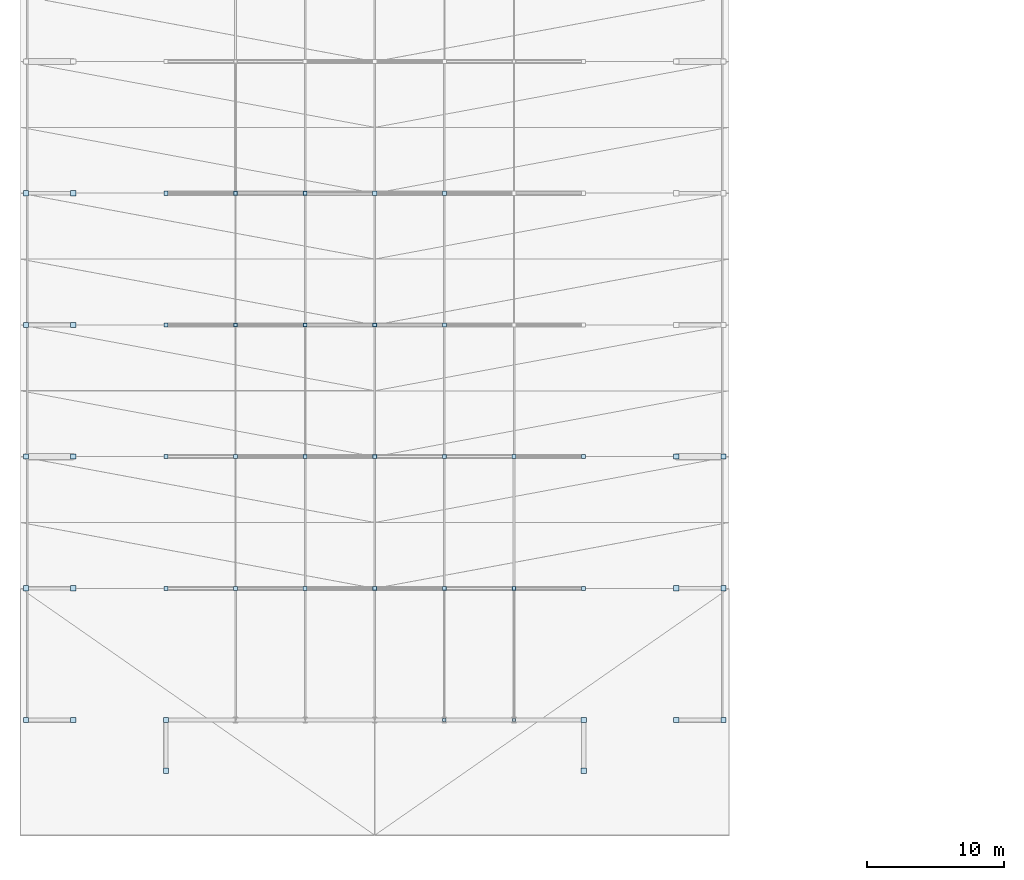
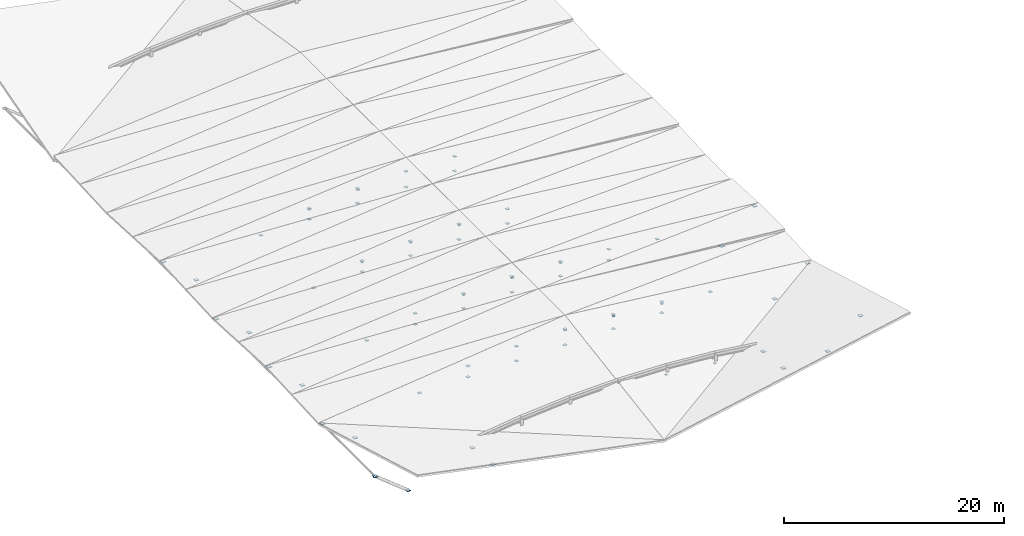
# One storey, part 12 of 16: 76 plates.
"""IFC4 building model written with IfcOpenShell, lengths in metres."""

from ifc_helpers import new_model, si_unit, direction, frame, origin, origin_2d, place, context, subcontext, project, spatial, rectangle, extrude, material, layer, layer_set, type_object, element, save


model = new_model("IFC4")

# Units and contexts
model_context = context("Model", 3, precision=1e-05, world=origin(), true_north=direction((0.0, 1.0)))
body_context = subcontext(model_context, "Body", "Model", "MODEL_VIEW")
ifc_project = project(units=[si_unit("LENGTHUNIT", "METRE"), si_unit("AREAUNIT", "SQUARE_METRE"), si_unit("VOLUMEUNIT", "CUBIC_METRE"), si_unit("PLANEANGLEUNIT", "RADIAN"), si_unit("MASSUNIT", "GRAM", prefix="KILO")], contexts=[model_context])

# Site, building, storey
site_placement = place(None, origin())
site = spatial("IfcSite", under=ifc_project, at=site_placement, CompositionType="ELEMENT")
building_placement = place(site_placement, origin())
building = spatial("IfcBuilding", under=site, at=building_placement, Name="Myrtia Square Station", CompositionType="ELEMENT")
storey_placement = place(building_placement, frame((0.0, 0.0, 22.800048828125)))
storey = spatial("IfcBuildingStorey", under=building, at=storey_placement, Name="RF", CompositionType="ELEMENT", Elevation=22.800048828125)

# Plates
ifc_material = material(Name="Steel S355", Category="steel")
ifc_layer_1 = layer(ifc_material, 0.01611328125, Name="Steel S355")
ifc_layer_set_1 = layer_set([ifc_layer_1], Name="Steel S355")
plate_type_1 = type_object("IfcPlateType", Name="PLT-GUS16", PredefinedType="USERDEFINED", material=ifc_layer_set_1)
for number, where, z_axis, x_axis, name in (
    (1, (99.64990234375, 28.800048828125, -0.7197265625), (0.0, 0.0, 1.0), (0.0, 1.0, 0.0), "Truss node gusset plate PUR-RF-0004-1"),
    (2, (99.64990234375, 38.39990234375, -0.081298828125), (0.0, 0.0, 1.0), (0.0, 1.0, 0.0), "Truss node gusset plate PUR-RF-0004-2"),
    (3, (104.72509765625, 28.800048828125, -1.24951171875), (0.0, 0.0, 1.0), (0.0, 1.0, 0.0), "Truss node gusset plate PUR-RF-0005-1"),
    (4, (104.72509765625, 38.39990234375, -0.4814453125), (0.0, 0.0, 1.0), (0.0, 1.0, 0.0), "Truss node gusset plate PUR-RF-0005-2"),
    (5, (94.574951171875, 38.39990234375, 0.1318359375), (0.0, 0.0, 1.0), (0.0, 1.0, 0.0), "Truss node gusset plate PUR-RF-0011-1"),
    (6, (94.574951171875, 48.0, 0.1318359375), (0.0, 0.0, 1.0), (0.0, 1.0, 0.0), "Truss node gusset plate PUR-RF-0011-2"),
    (7, (99.64990234375, 38.39990234375, -0.00146484375), (0.0, 0.0, 1.0), (0.0, 1.0, 0.0), "Truss node gusset plate PUR-RF-0012-1"),
    (8, (99.64990234375, 48.0, -0.00146484375), (0.0, 0.0, 1.0), (0.0, 1.0, 0.0), "Truss node gusset plate PUR-RF-0012-2"),
    (9, (89.5, 48.0, -0.00146484375), (0.0, 0.0, 1.0), (0.0, 1.0, 0.0), "Truss node gusset plate PUR-RF-0019-1"),
    (10, (89.5, 57.60009765625, -0.00146484375), (0.0, 0.0, 1.0), (0.0, 1.0, 0.0), "Truss node gusset plate PUR-RF-0019-2"),
    (11, (94.574951171875, 57.60009765625, 0.1318359375), (0.0, 0.0, 1.0), (0.0, 1.0, 0.0), "Truss node gusset plate PUR-RF-0020-2"),
    (12, (84.425048828125, 57.60009765625, -0.4013671875), (0.0, 0.0, 1.0), (0.0, 1.0, 0.0), "Truss node gusset plate PUR-RF-0027-1"),
    (13, (84.425048828125, 67.199951171875, -0.4013671875), (0.0, 0.0, 1.0), (0.0, 1.0, 0.0), "Truss node gusset plate PUR-RF-0027-2"),
    (14, (89.5, 67.199951171875, -0.00146484375), (0.0, 0.0, 1.0), (0.0, 1.0, 0.0), "Truss node gusset plate PUR-RF-0028-2"),
):
    element("IfcPlate", number, at=place(storey_placement, frame(where, z_axis=z_axis, x_axis=x_axis)), inside=storey, type_object=plate_type_1, Name=name, ObjectType="GUSSET PLATE", PredefinedType="USERDEFINED", context=body_context, shape_type="SweptSolid", body=[
        extrude(rectangle(XDim=0.239990234375, YDim=0.239990234375, at=origin_2d()), origin(), (0.0, 0.0, 1.0), 0.01611328125),
    ])
ifc_layer_2 = layer(ifc_material, 0.02001953125, Name="Steel S355")
ifc_layer_set_2 = layer_set([ifc_layer_2], Name="Steel S355")
plate_type_2 = type_object("IfcPlateType", Name="PLT-GUS20", PredefinedType="USERDEFINED", material=ifc_layer_set_2)
for number, where, z_axis, x_axis, name in (
    (15, (79.35009765625, 38.39990234375, -1.4599609375), (0.0, 0.0, 1.0), (1.0, 0.0, 0.0), "Truss node gusset plate BAT-02-D1-1"),
    (16, (84.425048828125, 38.39990234375, -0.2431640625), (0.0, 0.0, 1.0), (1.0, 0.0, 0.0), "Truss node gusset plate BAT-02-D1-2"),
    (17, (84.425048828125, 38.39990234375, -1.4599609375), (0.0, 0.0, 1.0), (1.0, 0.0, 0.0), "Truss node gusset plate BAT-02-D2-1"),
    (18, (89.5, 38.39990234375, 0.156982421875), (0.0, 0.0, 1.0), (1.0, 0.0, 0.0), "Truss node gusset plate BAT-02-D2-2"),
    (19, (89.5, 38.39990234375, -1.4599609375), (0.0, 0.0, 1.0), (1.0, 0.0, 0.0), "Truss node gusset plate BAT-02-D3-1"),
    (20, (94.574951171875, 38.39990234375, 0.2900390625), (0.0, 0.0, 1.0), (1.0, 0.0, 0.0), "Truss node gusset plate BAT-02-D3-2"),
    (21, (94.574951171875, 38.39990234375, -1.4599609375), (0.0, 0.0, 1.0), (1.0, 0.0, 0.0), "Truss node gusset plate BAT-02-D4-1"),
    (22, (99.64990234375, 38.39990234375, 0.156982421875), (0.0, 0.0, 1.0), (1.0, 0.0, 0.0), "Truss node gusset plate BAT-02-D4-2"),
    (23, (99.64990234375, 38.39990234375, -1.4599609375), (0.0, 0.0, 1.0), (1.0, 0.0, 0.0), "Truss node gusset plate BAT-02-D5-1"),
    (24, (104.72509765625, 38.39990234375, -0.2431640625), (0.0, 0.0, 1.0), (1.0, 0.0, 0.0), "Truss node gusset plate BAT-02-D5-2"),
    (25, (104.72509765625, 38.39990234375, -1.4599609375), (0.0, 0.0, 1.0), (1.0, 0.0, 0.0), "Truss node gusset plate BAT-02-D6-1"),
    (26, (109.800048828125, 38.39990234375, -0.91015625), (0.0, 0.0, 1.0), (1.0, 0.0, 0.0), "Truss node gusset plate BAT-02-D6-2"),
    (27, (79.35009765625, 48.0, -1.4599609375), (0.0, 0.0, 1.0), (1.0, 0.0, 0.0), "Truss node gusset plate BAT-03-D1-1"),
    (28, (84.425048828125, 48.0, -0.2431640625), (0.0, 0.0, 1.0), (1.0, 0.0, 0.0), "Truss node gusset plate BAT-03-D1-2"),
    (29, (84.425048828125, 48.0, -1.4599609375), (0.0, 0.0, 1.0), (1.0, 0.0, 0.0), "Truss node gusset plate BAT-03-D2-1"),
    (30, (89.5, 48.0, 0.156982421875), (0.0, 0.0, 1.0), (1.0, 0.0, 0.0), "Truss node gusset plate BAT-03-D2-2"),
    (31, (89.5, 48.0, -1.4599609375), (0.0, 0.0, 1.0), (1.0, 0.0, 0.0), "Truss node gusset plate BAT-03-D3-1"),
    (32, (94.574951171875, 48.0, 0.2900390625), (0.0, 0.0, 1.0), (1.0, 0.0, 0.0), "Truss node gusset plate BAT-03-D3-2"),
    (33, (94.574951171875, 48.0, -1.4599609375), (0.0, 0.0, 1.0), (1.0, 0.0, 0.0), "Truss node gusset plate BAT-03-D4-1"),
    (34, (99.64990234375, 48.0, 0.156982421875), (0.0, 0.0, 1.0), (1.0, 0.0, 0.0), "Truss node gusset plate BAT-03-D4-2"),
    (35, (99.64990234375, 48.0, -1.4599609375), (0.0, 0.0, 1.0), (1.0, 0.0, 0.0), "Truss node gusset plate BAT-03-D5-1"),
    (36, (104.72509765625, 48.0, -0.2431640625), (0.0, 0.0, 1.0), (1.0, 0.0, 0.0), "Truss node gusset plate BAT-03-D5-2"),
    (37, (104.72509765625, 48.0, -1.4599609375), (0.0, 0.0, 1.0), (1.0, 0.0, 0.0), "Truss node gusset plate BAT-03-D6-1"),
    (38, (109.800048828125, 48.0, -0.91015625), (0.0, 0.0, 1.0), (1.0, 0.0, 0.0), "Truss node gusset plate BAT-03-D6-2"),
    (39, (79.35009765625, 57.60009765625, -1.4599609375), (0.0, 0.0, 1.0), (1.0, 0.0, 0.0), "Truss node gusset plate BAT-04-D1-1"),
    (40, (84.425048828125, 57.60009765625, -0.2431640625), (0.0, 0.0, 1.0), (1.0, 0.0, 0.0), "Truss node gusset plate BAT-04-D1-2"),
    (41, (84.425048828125, 57.60009765625, -1.4599609375), (0.0, 0.0, 1.0), (1.0, 0.0, 0.0), "Truss node gusset plate BAT-04-D2-1"),
    (42, (89.5, 57.60009765625, 0.156982421875), (0.0, 0.0, 1.0), (1.0, 0.0, 0.0), "Truss node gusset plate BAT-04-D2-2"),
    (43, (89.5, 57.60009765625, -1.4599609375), (0.0, 0.0, 1.0), (1.0, 0.0, 0.0), "Truss node gusset plate BAT-04-D3-1"),
    (44, (94.574951171875, 57.60009765625, 0.2900390625), (0.0, 0.0, 1.0), (1.0, 0.0, 0.0), "Truss node gusset plate BAT-04-D3-2"),
    (45, (94.574951171875, 57.60009765625, -1.4599609375), (0.0, 0.0, 1.0), (1.0, 0.0, 0.0), "Truss node gusset plate BAT-04-D4-1"),
    (46, (99.64990234375, 57.60009765625, 0.156982421875), (0.0, 0.0, 1.0), (1.0, 0.0, 0.0), "Truss node gusset plate BAT-04-D4-2"),
    (47, (99.64990234375, 57.60009765625, -1.4599609375), (0.0, 0.0, 1.0), (1.0, 0.0, 0.0), "Truss node gusset plate BAT-04-D5-1"),
    (48, (79.35009765625, 67.199951171875, -1.4599609375), (0.0, 0.0, 1.0), (1.0, 0.0, 0.0), "Truss node gusset plate BAT-05-D1-1"),
    (49, (84.425048828125, 67.199951171875, -0.2431640625), (0.0, 0.0, 1.0), (1.0, 0.0, 0.0), "Truss node gusset plate BAT-05-D1-2"),
    (50, (84.425048828125, 67.199951171875, -1.4599609375), (0.0, 0.0, 1.0), (1.0, 0.0, 0.0), "Truss node gusset plate BAT-05-D2-1"),
    (51, (89.5, 67.199951171875, 0.156982421875), (0.0, 0.0, 1.0), (1.0, 0.0, 0.0), "Truss node gusset plate BAT-05-D2-2"),
    (52, (89.5, 67.199951171875, -1.4599609375), (0.0, 0.0, 1.0), (1.0, 0.0, 0.0), "Truss node gusset plate BAT-05-D3-1"),
    (53, (94.574951171875, 67.199951171875, 0.2900390625), (0.0, 0.0, 1.0), (1.0, 0.0, 0.0), "Truss node gusset plate BAT-05-D3-2"),
    (54, (94.574951171875, 67.199951171875, -1.4599609375), (0.0, 0.0, 1.0), (1.0, 0.0, 0.0), "Truss node gusset plate BAT-05-D4-1"),
    (55, (99.64990234375, 67.199951171875, 0.156982421875), (0.0, 0.0, 1.0), (1.0, 0.0, 0.0), "Truss node gusset plate BAT-05-D4-2"),
    (56, (99.64990234375, 67.199951171875, -1.4599609375), (0.0, 0.0, 1.0), (1.0, 0.0, 0.0), "Truss node gusset plate BAT-05-D5-1"),
):
    element("IfcPlate", number, at=place(storey_placement, frame(where, z_axis=z_axis, x_axis=x_axis)), inside=storey, type_object=plate_type_2, Name=name, ObjectType="GUSSET PLATE", PredefinedType="USERDEFINED", context=body_context, shape_type="SweptSolid", body=[
        extrude(rectangle(XDim=0.300048828125, YDim=0.300048828125, at=origin_2d()), origin(), (0.0, 0.0, 1.0), 0.02001953125),
    ])
ifc_layer_3 = layer(ifc_material, 0.02490234375, Name="Steel S355")
ifc_layer_set_3 = layer_set([ifc_layer_3], Name="Steel S355")
plate_type_3 = type_object("IfcPlateType", Name="PLT-GUS25", PredefinedType="USERDEFINED", material=ifc_layer_set_3)
for number, where, z_axis, x_axis, name in (
    (57, (72.60009765625, 28.800048828125, -4.0625), (0.0, 0.0, 1.0), (-1.0, 0.0, 0.0), "Truss node gusset plate STR-UP-001-1"),
    (58, (69.14990234375, 28.800048828125, -1.3173828125), (0.0, 0.0, 1.0), (-1.0, 0.0, 0.0), "Truss node gusset plate STR-UP-001-2"),
    (59, (116.550048828125, 28.800048828125, -4.0625), (0.0, 0.0, 1.0), (1.0, 0.0, 0.0), "Truss node gusset plate STR-UP-002-1"),
    (60, (120.0, 28.800048828125, -1.3173828125), (0.0, 0.0, 1.0), (1.0, 0.0, 0.0), "Truss node gusset plate STR-UP-002-2"),
    (61, (72.60009765625, 38.39990234375, -4.0625), (0.0, 0.0, 1.0), (-1.0, 0.0, 0.0), "Truss node gusset plate STR-UP-004-1"),
    (62, (69.14990234375, 38.39990234375, -1.3173828125), (0.0, 0.0, 1.0), (-1.0, 0.0, 0.0), "Truss node gusset plate STR-UP-004-2"),
    (63, (116.550048828125, 38.39990234375, -4.0625), (0.0, 0.0, 1.0), (1.0, 0.0, 0.0), "Truss node gusset plate STR-UP-005-1"),
    (64, (120.0, 38.39990234375, -1.3173828125), (0.0, 0.0, 1.0), (1.0, 0.0, 0.0), "Truss node gusset plate STR-UP-005-2"),
    (65, (72.60009765625, 48.0, -4.0625), (0.0, 0.0, 1.0), (-1.0, 0.0, 0.0), "Truss node gusset plate STR-UP-007-1"),
    (66, (69.14990234375, 48.0, -0.8173828125), (0.0, 0.0, 1.0), (-1.0, 0.0, 0.0), "Truss node gusset plate STR-UP-007-2"),
    (67, (116.550048828125, 48.0, -4.0625), (0.0, 0.0, 1.0), (1.0, 0.0, 0.0), "Truss node gusset plate STR-UP-008-1"),
    (68, (120.0, 48.0, -0.8173828125), (0.0, 0.0, 1.0), (1.0, 0.0, 0.0), "Truss node gusset plate STR-UP-008-2"),
    (69, (72.60009765625, 57.60009765625, -4.0625), (0.0, 0.0, 1.0), (-1.0, 0.0, 0.0), "Truss node gusset plate STR-UP-011-1"),
    (70, (69.14990234375, 57.60009765625, -1.3173828125), (0.0, 0.0, 1.0), (-1.0, 0.0, 0.0), "Truss node gusset plate STR-UP-011-2"),
    (71, (72.60009765625, 67.199951171875, -4.0625), (0.0, 0.0, 1.0), (-1.0, 0.0, 0.0), "Truss node gusset plate STR-UP-015-1"),
    (72, (69.14990234375, 67.199951171875, -0.8173828125), (0.0, 0.0, 1.0), (-1.0, 0.0, 0.0), "Truss node gusset plate STR-UP-015-2"),
    (73, (79.35009765625, 28.800048828125, -1.71240234375), (0.0, 0.0, 1.0), (0.0, -1.0, 0.0), "Truss node gusset plate STR-UP-GAB-029-1"),
    (74, (79.35009765625, 25.10009765625, -1.3173828125), (0.0, 0.0, 1.0), (0.0, -1.0, 0.0), "Truss node gusset plate STR-UP-GAB-029-2"),
    (75, (109.800048828125, 28.800048828125, -1.71240234375), (0.0, 0.0, 1.0), (0.0, -1.0, 0.0), "Truss node gusset plate STR-UP-GAB-031-1"),
    (76, (109.800048828125, 25.10009765625, -1.3173828125), (0.0, 0.0, 1.0), (0.0, -1.0, 0.0), "Truss node gusset plate STR-UP-GAB-031-2"),
):
    element("IfcPlate", number, at=place(storey_placement, frame(where, z_axis=z_axis, x_axis=x_axis)), inside=storey, type_object=plate_type_3, Name=name, ObjectType="GUSSET PLATE", PredefinedType="USERDEFINED", context=body_context, shape_type="SweptSolid", body=[
        extrude(rectangle(XDim=0.3798828125, YDim=0.3798828125, at=origin_2d()), origin(), (0.0, 0.0, 1.0), 0.02490234375),
    ])

save(model, "model.ifc")
